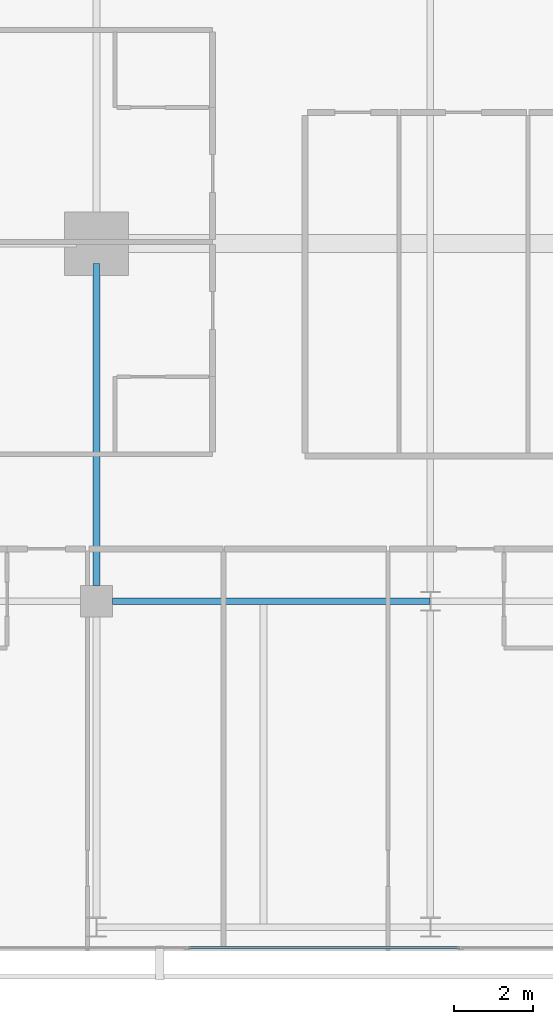
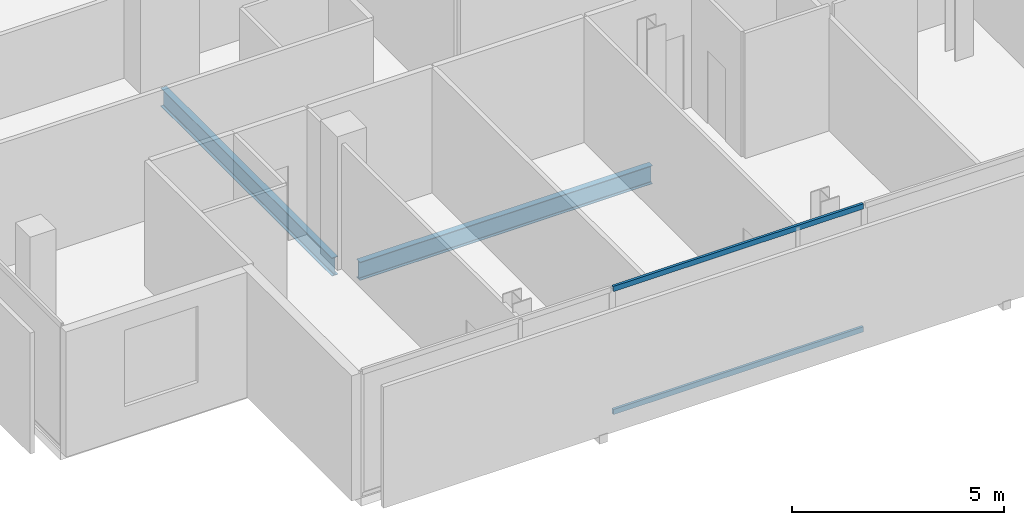
# One storey, part 5 of 25: 2 beams, 2 members, 1 element without a shape of its own.
"""IFC4 building model written with IfcOpenShell, lengths in metres."""

from ifc_helpers import new_model, si_unit, direction, frame, origin, origin_2d, place, context, subcontext, project, spatial, hollow_rectangle, i_section, extrude, material, layer, layer_set, material_profile, profile_set, type_object, element, aggregate, save


model = new_model("IFC4")

# Units and contexts
model_context = context("Model", 3, precision=1e-05, world=origin(), true_north=direction((0.0, 1.0)))
body_context = subcontext(model_context, "Body", "Model", "MODEL_VIEW")
ifc_project = project(units=[si_unit("LENGTHUNIT", "METRE"), si_unit("AREAUNIT", "SQUARE_METRE"), si_unit("VOLUMEUNIT", "CUBIC_METRE"), si_unit("PLANEANGLEUNIT", "RADIAN"), si_unit("MASSUNIT", "GRAM", prefix="KILO")], contexts=[model_context])

# Site, building, storey
site_placement = place(None, origin())
site = spatial("IfcSite", under=ifc_project, at=site_placement, CompositionType="ELEMENT")
building_placement = place(site_placement, origin())
building = spatial("IfcBuilding", under=site, at=building_placement, Name="Maruvema Waterfront Hotel and Observation Tower", CompositionType="ELEMENT")
storey_placement = place(building_placement, frame((0.0, 0.0, 308.699951171875)))
storey = spatial("IfcBuildingStorey", under=building, at=storey_placement, Name="L76", CompositionType="ELEMENT", Elevation=308.699951171875)

# Curtain wall, members
ifc_material_1 = material(Name="Anodised bronze aluminium and solar-control low-E IGU", Category="aluminium")
ifc_layer = layer(ifc_material_1, 0.159912109375, Name="Zone 3 Champagne Inner Thermal Curtain Wall System CW-04")
ifc_layer_set = layer_set([ifc_layer], Name="Anodised bronze aluminium and solar-control low-E IGU")
curtain_wall_type = type_object("IfcCurtainWallType", Name="Zone 3 Champagne Inner Thermal Curtain Wall System CW-04", PredefinedType="USERDEFINED", material=ifc_layer_set)
curtain_wall_placement = place(storey_placement, origin())
curtain_wall = element("IfcCurtainWall", 1, at=curtain_wall_placement, inside=storey, type_object=curtain_wall_type, Name="L76 Curtain Wall CW-L76-S", ObjectType="UNITISED CURTAIN WALL", PredefinedType="USERDEFINED")
ifc_material_2 = material(Name="Anodised architectural bronze aluminium", Category="aluminium")
ifc_material_profile_1 = material_profile(ifc_material_2, hollow_rectangle(XDim=0.070068359375, YDim=0.14990234375, WallThickness=0.00390625, at=origin_2d()), Name="ALU-T70x150")
ifc_profile_set_1 = profile_set([ifc_material_profile_1], Name="Anodised architectural bronze aluminium")
member_type = type_object("IfcMemberType", Name="Curtain Wall Horizontal Transom ALU-T70x150", PredefinedType="USERDEFINED", material=ifc_profile_set_1)
member_1_placement = place(storey_placement, frame((27.510009765625, 9.280029296875, 0.030029296875), z_axis=(1.0, 0.0, 0.0), x_axis=(0.0, 1.0, 0.0)))
member_1 = element("IfcMember", 2, at=member_1_placement, type_object=member_type, Name="CW-04 transom 2.1", ObjectType="TRANSOM", PredefinedType="USERDEFINED", context=body_context, shape_type="SweptSolid", body=[
    extrude(hollow_rectangle(XDim=0.070068359375, YDim=0.14990234375, WallThickness=0.00390625, at=origin_2d()), origin(), (0.0, 0.0, 1.0), 6.820068359375),
])
member_2_placement = place(storey_placement, frame((27.510009765625, 9.280029296875, 3.580078125), z_axis=(1.0, 0.0, 0.0), x_axis=(0.0, 1.0, 0.0)))
member_2 = element("IfcMember", 3, at=member_2_placement, type_object=member_type, Name="CW-04 transom 2.2", ObjectType="TRANSOM", PredefinedType="USERDEFINED", context=body_context, shape_type="SweptSolid", body=[
    extrude(hollow_rectangle(XDim=0.070068359375, YDim=0.14990234375, WallThickness=0.00390625, at=origin_2d()), origin(), (0.0, 0.0, 1.0), 6.820068359375),
])
aggregate(curtain_wall, [member_1, member_2])

# Beams
ifc_material_3 = material(Name="Steel ASTM A572 Grade 50", Category="steel")
ifc_material_profile_2 = material_profile(ifc_material_3, i_section(OverallWidth=0.166015625, OverallDepth=0.529052734375, WebThickness=0.009765625, FlangeThickness=0.013671875, FilletRadius=0.014892578125, at=origin_2d()), Name="W530x74.0")
ifc_profile_set_2 = profile_set([ifc_material_profile_2], Name="Steel ASTM A572 Grade 50")
beam_type = type_object("IfcBeamType", Name="Primary Floor Girder W530x74.0", PredefinedType="BEAM", material=ifc_profile_set_2)
beam_1_placement = place(storey_placement, frame((25.60009765625, 18.0, -0.50439453125), z_axis=(1.0, 0.0, 0.0), x_axis=(0.0, 1.0, 0.0)))
element("IfcBeam", 4, at=beam_1_placement, inside=storey, type_object=beam_type, Name="L76 Floor Girder EW-05", PredefinedType="BEAM", context=body_context, shape_type="SweptSolid", body=[
    extrude(i_section(OverallWidth=0.166015625, OverallDepth=0.529052734375, WebThickness=0.009765625, FlangeThickness=0.013671875, FilletRadius=0.014892578125, at=origin_2d()), origin(), (0.0, 0.0, 1.0), 7.989013671875),
])
beam_2_placement = place(storey_placement, frame((25.199951171875, 18.39990234375, -0.50439453125), z_axis=(0.0, 1.0, 0.0), x_axis=(-1.0, 0.0, 0.0)))
element("IfcBeam", 5, at=beam_2_placement, inside=storey, type_object=beam_type, Name="L76 Floor Girder NS-05", PredefinedType="BEAM", context=body_context, shape_type="SweptSolid", body=[
    extrude(i_section(OverallWidth=0.166015625, OverallDepth=0.529052734375, WebThickness=0.009765625, FlangeThickness=0.013671875, FilletRadius=0.014892578125, at=origin_2d()), origin(), (0.0, 0.0, 1.0), 8.10009765625),
])

save(model, "model.ifc")
